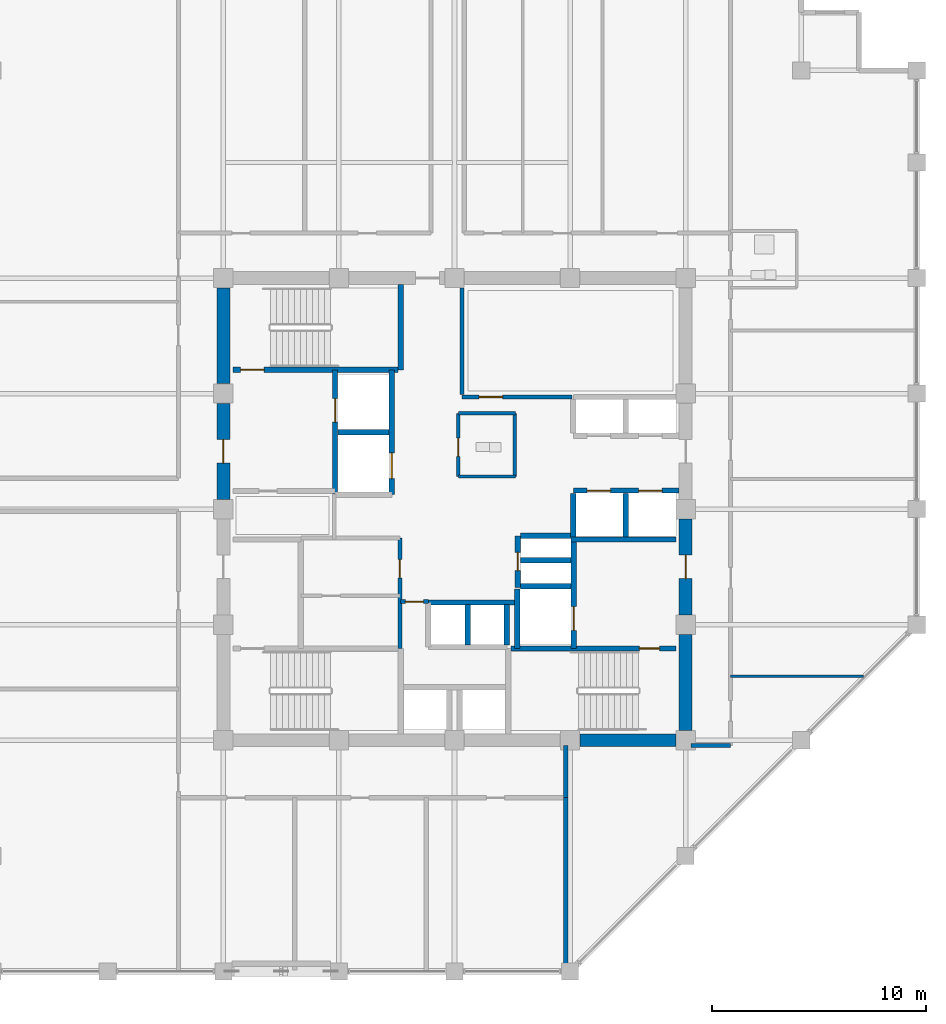
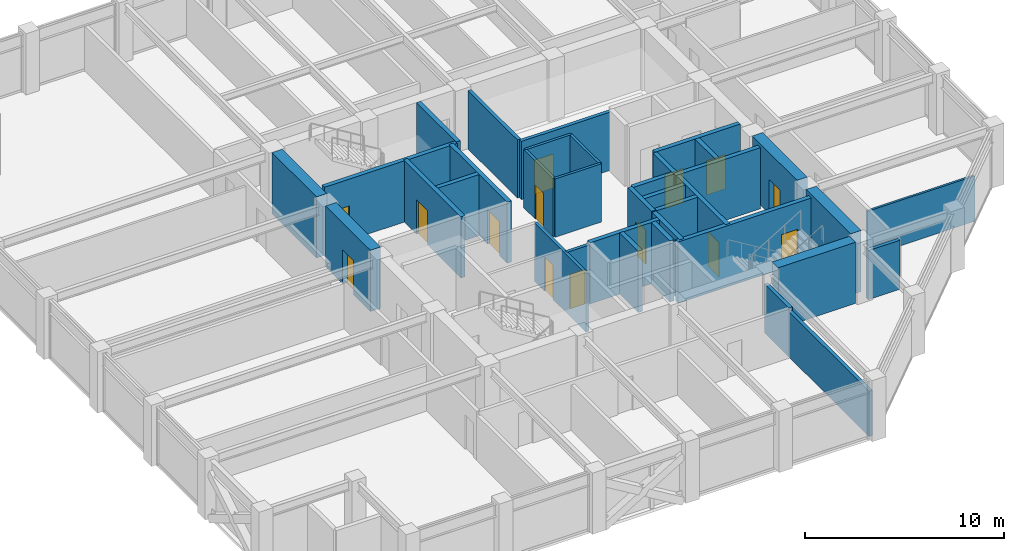
# One storey, part 28 of 32: 36 walls, 14 doors, 14 openings.
"""IFC4 building model written with IfcOpenShell, lengths in metres."""

from ifc_helpers import new_model, si_unit, direction, frame, frame_2d, origin, place, context, subcontext, project, spatial, rectangle, extrude, material, layer, layer_set, type_object, element, fill, save


model = new_model("IFC4")

# Units and contexts
model_context = context("Model", 3, precision=1e-05, world=origin(), true_north=direction((0.0, 1.0)))
body_context = subcontext(model_context, "Body", "Model", "MODEL_VIEW")
ifc_project = project(units=[si_unit("LENGTHUNIT", "METRE"), si_unit("AREAUNIT", "SQUARE_METRE"), si_unit("VOLUMEUNIT", "CUBIC_METRE"), si_unit("PLANEANGLEUNIT", "RADIAN"), si_unit("MASSUNIT", "GRAM", prefix="KILO")], contexts=[model_context])

# Site, building, storey
site_placement = place(None, origin())
site = spatial("IfcSite", under=ifc_project, at=site_placement, CompositionType="ELEMENT")
building_placement = place(site_placement, origin())
building = spatial("IfcBuilding", under=site, at=building_placement, Name="Surkhivell Harbour Commons", CompositionType="ELEMENT")
storey_placement = place(building_placement, frame((0.0, 0.0, 223.5)))
storey = spatial("IfcBuildingStorey", under=building, at=storey_placement, Name="L58", CompositionType="ELEMENT", Elevation=223.5)

# Wall
ifc_material_1 = material(Name="Concrete C60/75", Category="concrete")
ifc_layer_1 = layer(ifc_material_1, 0.60009765625)
ifc_layer_set_1 = layer_set([ifc_layer_1], Name="Concrete C60/75")
wall_type_1 = type_object("IfcWallType", Name="WAL-CORE-600", PredefinedType="SHEAR", material=ifc_layer_set_1)
wall_1_placement = place(storey_placement, frame((10.800048828125, -10.340087890625, 0.0), z_axis=(0.0, 0.0, 1.0), x_axis=(0.0, 1.0, 0.0)))
element("IfcWall", 1, at=wall_1_placement, inside=storey, type_object=wall_type_1, Name="L58 Core Shear Wall East 1", PredefinedType="SHEAR", context=body_context, shape_type="SweptSolid", body=[
    extrude(rectangle(XDim=4.47998046875, YDim=0.60009765625, at=frame_2d((2.239990234375, 0.0))), origin(), (0.0, 0.0, 1.0), 3.75),
])

# Wall, opening, door
wall_2_placement = place(storey_placement, frame((10.800048828125, -4.93994140625, 0.0), z_axis=(0.0, 0.0, 1.0), x_axis=(0.0, 1.0, 0.0)))
wall_2 = element("IfcWall", 2, at=wall_2_placement, inside=storey, type_object=wall_type_1, Name="L58 Core Shear Wall East 2", PredefinedType="SHEAR", context=body_context, shape_type="SweptSolid", body=[
    extrude(rectangle(XDim=4.47998046875, YDim=0.60009765625, at=frame_2d((2.239990234375, 0.0))), origin(), (0.0, 0.0, 1.0), 3.75),
])
opening_1_placement = place(wall_2_placement, frame((1.68994140625, 0.0, 0.0)))
opening_1 = element("IfcOpeningElement", 3, at=opening_1_placement, cuts=wall_2, Name="Opening ID-1", PredefinedType="OPENING", context=body_context, shape_type="SweptSolid", body=[
    extrude(rectangle(XDim=1.10009765625, YDim=2.10009765625, at=frame_2d((0.550048828125, 1.050048828125))), frame((0.0, 0.31005859375, 0.0), z_axis=(0.0, -1.0, 0.0), x_axis=(1.0, 0.0, 0.0)), (0.0, 0.0, 1.0), 0.6201171875),
])
ifc_material_2 = material(Name="Hardwood-veneered fire-rated door leaf", Category="wood")
door_type_1 = type_object("IfcDoorType", Name="DOR-FD120-1100", OperationType="NOTDEFINED", PredefinedType="DOOR", material=ifc_material_2)
door_1_placement = place(opening_1_placement, origin())
door_1 = element("IfcDoor", 4, at=door_1_placement, inside=storey, type_object=door_type_1, Name="L58 Firefighting Lobby 2 Corridor Door", OperationType="SINGLE_SWING_RIGHT", OverallHeight=2.10009765625, OverallWidth=1.10009765625, PredefinedType="DOOR", context=body_context, shape_type="SweptSolid", body=[
    extrude(rectangle(XDim=1.10009765625, YDim=2.10009765625, at=frame_2d((0.550048828125, 1.050048828125))), frame((0.0, 0.02490234375, 0.0), z_axis=(0.0, -1.0, 0.0), x_axis=(1.0, 0.0, 0.0)), (0.0, 0.0, 1.0), 0.050048828125),
])
fill(opening_1, door_1)

wall_3_placement = place(storey_placement, frame((-10.800048828125, 0.4599609375, 0.0), z_axis=(0.0, 0.0, 1.0), x_axis=(0.0, 1.0, 0.0)))
wall_3 = element("IfcWall", 5, at=wall_3_placement, inside=storey, type_object=wall_type_1, Name="L58 Core Shear Wall West 3", PredefinedType="SHEAR", context=body_context, shape_type="SweptSolid", body=[
    extrude(rectangle(XDim=4.47998046875, YDim=0.60009765625, at=frame_2d((2.239990234375, 0.0))), origin(), (0.0, 0.0, 1.0), 3.75),
])
opening_2_placement = place(wall_3_placement, frame((1.68994140625, 0.0, 0.0)))
opening_2 = element("IfcOpeningElement", 6, at=opening_2_placement, cuts=wall_3, Name="Opening ID-1", PredefinedType="OPENING", context=body_context, shape_type="SweptSolid", body=[
    extrude(rectangle(XDim=1.10009765625, YDim=2.10009765625, at=frame_2d((0.550048828125, 1.050048828125))), frame((0.0, 0.31005859375, 0.0), z_axis=(0.0, -1.0, 0.0), x_axis=(1.0, 0.0, 0.0)), (0.0, 0.0, 1.0), 0.6201171875),
])
door_2_placement = place(opening_2_placement, origin())
door_2 = element("IfcDoor", 7, at=door_2_placement, inside=storey, type_object=door_type_1, Name="L58 Firefighting Lobby 1 Corridor Door", OperationType="SINGLE_SWING_LEFT", OverallHeight=2.10009765625, OverallWidth=1.10009765625, PredefinedType="DOOR", context=body_context, shape_type="SweptSolid", body=[
    extrude(rectangle(XDim=1.10009765625, YDim=2.10009765625, at=frame_2d((0.550048828125, 1.050048828125))), frame((0.0, 0.02490234375, 0.0), z_axis=(0.0, -1.0, 0.0), x_axis=(1.0, 0.0, 0.0)), (0.0, 0.0, 1.0), 0.050048828125),
])
fill(opening_2, door_2)

# Walls
for number, where, z_axis, x_axis, name in (
    (8, (5.860107421875, -10.800048828125, 0.0), (0.0, 0.0, 1.0), (1.0, 0.0, 0.0), "L58 Core Shear Wall South 4"),
    (9, (-10.800048828125, 5.860107421875, 0.0), (0.0, 0.0, 1.0), (0.0, 1.0, 0.0), "L58 Core Shear Wall West 4"),
):
    element("IfcWall", number, at=place(storey_placement, frame(where, z_axis=z_axis, x_axis=x_axis)), inside=storey, type_object=wall_type_1, Name=name, PredefinedType="SHEAR", context=body_context, shape_type="SweptSolid", body=[
        extrude(rectangle(XDim=4.47998046875, YDim=0.60009765625, at=frame_2d((2.239990234375, 0.0))), origin(), (0.0, 0.0, 1.0), 3.75),
    ])
ifc_material_3 = material(Name="Moisture-resistant acoustic stud partition", Category="other")
ifc_layer_2 = layer(ifc_material_3, 0.125)
ifc_layer_set_2 = layer_set([ifc_layer_2], Name="Moisture-resistant acoustic stud partition")
wall_type_2 = type_object("IfcWallType", Name="WAL-INT-125", PredefinedType="PARTITIONING", material=ifc_layer_set_2)
wall_4_placement = place(storey_placement, frame((12.89990234375, -7.800048828125, 0.0), z_axis=(0.0, 0.0, 1.0), x_axis=(1.0, 0.0, 0.0)))
element("IfcWall", 10, at=wall_4_placement, inside=storey, type_object=wall_type_2, Name="L58 East Partition PBOT", PredefinedType="PARTITIONING", context=body_context, shape_type="SweptSolid", body=[
    extrude(rectangle(XDim=6.21533203125, YDim=0.125, at=frame_2d((3.107666015625, 0.0))), origin(), (0.0, 0.0, 1.0), 2.780029296875),
])
ifc_material_4 = material(Name="Twin-stud acoustic fireboard partition", Category="other")
ifc_layer_3 = layer(ifc_material_4, 0.14990234375)
ifc_layer_set_3 = layer_set([ifc_layer_3], Name="Twin-stud acoustic fireboard partition")
wall_type_3 = type_object("IfcWallType", Name="WAL-INT-150", PredefinedType="PARTITIONING", material=ifc_layer_set_3)
wall_5_placement = place(storey_placement, frame((2.820068359375, 1.52001953125, 0.0), z_axis=(0.0, 0.0, 1.0), x_axis=(0.0, 1.0, 0.0)))
element("IfcWall", 11, at=wall_5_placement, inside=storey, type_object=wall_type_3, Name="L58 Core Accessible WC East Wall", PredefinedType="PARTITIONING", context=body_context, shape_type="SweptSolid", body=[
    extrude(rectangle(XDim=2.9599609375, YDim=0.14990234375, at=frame_2d((1.47998046875, 0.0))), origin(), (0.0, 0.0, 1.0), 3.570068359375),
])
for number, where, z_axis, x_axis, name in (
    (12, (0.179931640625, 4.47998046875, 0.0), (0.0, 0.0, 1.0), (1.0, 0.0, 0.0), "L58 Core Accessible WC North Wall"),
    (13, (0.179931640625, 1.52001953125, 0.0), (0.0, 0.0, 1.0), (1.0, 0.0, 0.0), "L58 Core Accessible WC South Wall"),
):
    element("IfcWall", number, at=place(storey_placement, frame(where, z_axis=z_axis, x_axis=x_axis)), inside=storey, type_object=wall_type_3, Name=name, PredefinedType="PARTITIONING", context=body_context, shape_type="SweptSolid", body=[
        extrude(rectangle(XDim=2.670166015625, YDim=0.14990234375, at=frame_2d((1.3349609375, 0.0))), origin(), (0.0, 0.0, 1.0), 3.570068359375),
    ])

# Wall, opening, door
wall_6_placement = place(storey_placement, frame((0.179931640625, 1.52001953125, 0.0), z_axis=(0.0, 0.0, 1.0), x_axis=(0.0, 1.0, 0.0)))
wall_6 = element("IfcWall", 14, at=wall_6_placement, inside=storey, type_object=wall_type_3, Name="L58 Core Accessible WC West Wall", PredefinedType="PARTITIONING", context=body_context, shape_type="SweptSolid", body=[
    extrude(rectangle(XDim=2.9599609375, YDim=0.14990234375, at=frame_2d((1.47998046875, 0.0))), origin(), (0.0, 0.0, 1.0), 3.570068359375),
])
opening_3_placement = place(wall_6_placement, frame((0.949951171875, 0.0, 0.0)))
opening_3 = element("IfcOpeningElement", 15, at=opening_3_placement, cuts=wall_6, Name="Opening ID-6", PredefinedType="OPENING", context=body_context, shape_type="SweptSolid", body=[
    extrude(rectangle(XDim=0.85009765625, YDim=2.10009765625, at=frame_2d((0.425048828125, 1.050048828125))), frame((0.0, 0.0849609375, 0.0), z_axis=(0.0, -1.0, 0.0), x_axis=(1.0, 0.0, 0.0)), (0.0, 0.0, 1.0), 0.169921875),
])
door_type_2 = type_object("IfcDoorType", Name="DOR-FD30-850", OperationType="NOTDEFINED", PredefinedType="DOOR", material=ifc_material_2)
door_3_placement = place(opening_3_placement, origin())
door_3 = element("IfcDoor", 16, at=door_3_placement, inside=storey, type_object=door_type_2, Name="L58 Floor Accessible WC Door", OperationType="SINGLE_SWING_RIGHT", OverallHeight=2.10009765625, OverallWidth=0.85009765625, PredefinedType="DOOR", context=body_context, shape_type="SweptSolid", body=[
    extrude(rectangle(XDim=0.85009765625, YDim=2.10009765625, at=frame_2d((0.425048828125, 1.050048828125))), frame((0.0, 0.02490234375, 0.0), z_axis=(0.0, -1.0, 0.0), x_axis=(1.0, 0.0, 0.0)), (0.0, 0.0, 1.0), 0.050048828125),
])
fill(opening_3, door_3)

ifc_material_5 = material(Name="High-density acoustic blockwork fire partition", Category="masonry")
ifc_layer_4 = layer(ifc_material_5, 0.175048828125)
ifc_layer_set_4 = layer_set([ifc_layer_4], Name="High-density acoustic blockwork fire partition")
wall_type_4 = type_object("IfcWallType", Name="WAL-INT-175", PredefinedType="PARTITIONING", material=ifc_layer_set_4)
wall_7_placement = place(storey_placement, frame((-2.550048828125, -6.510009765625, 0.0), z_axis=(0.0, 0.0, 1.0), x_axis=(0.0, 1.0, 0.0)))
wall_7 = element("IfcWall", 17, at=wall_7_placement, inside=storey, type_object=wall_type_4, Name="L58 Core Service Bay East Wall", PredefinedType="PARTITIONING", context=body_context, shape_type="SweptSolid", body=[
    extrude(rectangle(XDim=5.159912109375, YDim=0.175048828125, at=frame_2d((2.580078125, 0.0))), origin(), (0.0, 0.0, 1.0), 3.570068359375),
])
opening_4_placement = place(wall_7_placement, frame((3.300048828125, 0.0, 0.0)))
opening_4 = element("IfcOpeningElement", 18, at=opening_4_placement, cuts=wall_7, Name="Opening ID-6", PredefinedType="OPENING", context=body_context, shape_type="SweptSolid", body=[
    extrude(rectangle(XDim=0.85009765625, YDim=2.10009765625, at=frame_2d((0.425048828125, 1.050048828125))), frame((0.0, 0.097412109375, 0.0), z_axis=(0.0, -1.0, 0.0), x_axis=(1.0, 0.0, 0.0)), (0.0, 0.0, 1.0), 0.195068359375),
])
door_4_placement = place(opening_4_placement, origin())
door_4 = element("IfcDoor", 19, at=door_4_placement, inside=storey, type_object=door_type_2, Name="L58 Core Reading Alcove Door", OperationType="SINGLE_SWING_LEFT", OverallHeight=2.10009765625, OverallWidth=0.85009765625, PredefinedType="DOOR", context=body_context, shape_type="SweptSolid", body=[
    extrude(rectangle(XDim=0.85009765625, YDim=2.10009765625, at=frame_2d((0.425048828125, 1.050048828125))), frame((0.0, 0.02490234375, 0.0), z_axis=(0.0, -1.0, 0.0), x_axis=(1.0, 0.0, 0.0)), (0.0, 0.0, 1.0), 0.050048828125),
])
fill(opening_4, door_4)

wall_8_placement = place(storey_placement, frame((-2.52001953125, -4.320068359375, 0.0), z_axis=(0.0, 0.0, 1.0), x_axis=(1.0, 0.0, 0.0)))
wall_8 = element("IfcWall", 20, at=wall_8_placement, inside=storey, type_object=wall_type_4, Name="L58 High-Rise Lobby North Portal Wall", PredefinedType="PARTITIONING", context=body_context, shape_type="SweptSolid", body=[
    extrude(rectangle(XDim=1.300048828125, YDim=0.175048828125, at=frame_2d((0.64990234375, 0.0))), origin(), (0.0, 0.0, 1.0), 3.570068359375),
])
opening_5_placement = place(wall_8_placement, frame((0.219970703125, 0.0, 0.0)))
opening_5 = element("IfcOpeningElement", 21, at=opening_5_placement, cuts=wall_8, Name="Opening ID-6", PredefinedType="OPENING", context=body_context, shape_type="SweptSolid", body=[
    extrude(rectangle(XDim=0.85009765625, YDim=2.10009765625, at=frame_2d((0.425048828125, 1.050048828125))), frame((0.0, 0.097412109375, 0.0), z_axis=(0.0, -1.0, 0.0), x_axis=(1.0, 0.0, 0.0)), (0.0, 0.0, 1.0), 0.195068359375),
])
door_5_placement = place(opening_5_placement, origin())
door_5 = element("IfcDoor", 22, at=door_5_placement, inside=storey, type_object=door_type_2, Name="L58 High-Rise Lift Lobby North Door", OperationType="SINGLE_SWING_LEFT", OverallHeight=2.10009765625, OverallWidth=0.85009765625, PredefinedType="DOOR", context=body_context, shape_type="SweptSolid", body=[
    extrude(rectangle(XDim=0.85009765625, YDim=2.10009765625, at=frame_2d((0.425048828125, 1.050048828125))), frame((0.0, 0.02490234375, 0.0), z_axis=(0.0, -1.0, 0.0), x_axis=(1.0, 0.0, 0.0)), (0.0, 0.0, 1.0), 0.050048828125),
])
fill(opening_5, door_5)

ifc_material_6 = material(Name="Autoclaved aerated concrete blockwork and fire plaster", Category="masonry")
ifc_layer_5 = layer(ifc_material_6, 0.199951171875)
ifc_layer_set_5 = layer_set([ifc_layer_5], Name="Autoclaved aerated concrete blockwork and fire plaster")
wall_type_5 = type_object("IfcWallType", Name="WAL-INT-200", PredefinedType="PARTITIONING", material=ifc_layer_set_5)
wall_9_placement = place(storey_placement, frame((0.35009765625, 5.239990234375, 0.0), z_axis=(0.0, 0.0, 1.0), x_axis=(1.0, 0.0, 0.0)))
wall_9 = element("IfcWall", 23, at=wall_9_placement, inside=storey, type_object=wall_type_5, Name="L58 Reclaimed Core North Bay South Wall", PredefinedType="PARTITIONING", context=body_context, shape_type="SweptSolid", body=[
    extrude(rectangle(XDim=5.14990234375, YDim=0.199951171875, at=frame_2d((2.574951171875, 0.0))), origin(), (0.0, 0.0, 1.0), 3.570068359375),
])
opening_6_placement = place(wall_9_placement, frame((0.800048828125, 0.0, 0.0)))
opening_6 = element("IfcOpeningElement", 24, at=opening_6_placement, cuts=wall_9, Name="Opening ID-2", PredefinedType="OPENING", context=body_context, shape_type="SweptSolid", body=[
    extrude(rectangle(XDim=1.10009765625, YDim=2.10009765625, at=frame_2d((0.550048828125, 1.050048828125))), frame((0.0, 0.10986328125, 0.0), z_axis=(0.0, -1.0, 0.0), x_axis=(1.0, 0.0, 0.0)), (0.0, 0.0, 1.0), 0.219970703125),
])
door_type_3 = type_object("IfcDoorType", Name="DOR-FD60-1100", OperationType="NOTDEFINED", PredefinedType="DOOR", material=ifc_material_2)
door_6_placement = place(opening_6_placement, origin())
door_6 = element("IfcDoor", 25, at=door_6_placement, inside=storey, type_object=door_type_3, Name="L58 Reading Library Door", OperationType="SINGLE_SWING_LEFT", OverallHeight=2.10009765625, OverallWidth=1.10009765625, PredefinedType="DOOR", context=body_context, shape_type="SweptSolid", body=[
    extrude(rectangle(XDim=1.10009765625, YDim=2.10009765625, at=frame_2d((0.550048828125, 1.050048828125))), frame((0.0, 0.02490234375, 0.0), z_axis=(0.0, -1.0, 0.0), x_axis=(1.0, 0.0, 0.0)), (0.0, 0.0, 1.0), 0.050048828125),
])
fill(opening_6, door_6)

# Walls
wall_10_placement = place(storey_placement, frame((0.35009765625, 5.360107421875, 0.0), z_axis=(0.0, 0.0, 1.0), x_axis=(0.0, 1.0, 0.0)))
element("IfcWall", 26, at=wall_10_placement, inside=storey, type_object=wall_type_5, Name="L58 Reclaimed Core North Bay West Wall", PredefinedType="PARTITIONING", context=body_context, shape_type="SweptSolid", body=[
    extrude(rectangle(XDim=4.97998046875, YDim=0.199951171875, at=frame_2d((2.489990234375, 0.0))), origin(), (0.0, 0.0, 1.0), 3.570068359375),
])
wall_11_placement = place(storey_placement, frame((5.199951171875, -21.5400390625, 0.0), z_axis=(0.0, 0.0, 1.0), x_axis=(0.0, 1.0, 0.0)))
element("IfcWall", 27, at=wall_11_placement, inside=storey, type_object=wall_type_5, Name="L58 South-East Corner Wall", PredefinedType="PARTITIONING", context=body_context, shape_type="SweptSolid", body=[
    extrude(rectangle(XDim=8.06005859375, YDim=0.199951171875, at=frame_2d((4.030029296875, 0.0))), origin(), (0.0, 0.0, 1.0), 2.780029296875),
])
wall_12_placement = place(storey_placement, frame((11.0400390625, -11.0400390625, 0.0), z_axis=(0.0, 0.0, 1.0), x_axis=(1.0, 0.0, 0.0)))
element("IfcWall", 28, at=wall_12_placement, inside=storey, type_object=wall_type_5, Name="L58 Corridor East South Closure Wall", PredefinedType="PARTITIONING", context=body_context, shape_type="SweptSolid", body=[
    extrude(rectangle(XDim=1.85986328125, YDim=0.199951171875, at=frame_2d((0.929931640625, 0.0))), origin(), (0.0, 0.0, 1.0), 3.006103515625),
])
wall_13_placement = place(storey_placement, frame((5.199951171875, -13.47998046875, 0.0), z_axis=(0.0, 0.0, 1.0), x_axis=(0.0, 1.0, 0.0)))
element("IfcWall", 29, at=wall_13_placement, inside=storey, type_object=wall_type_5, Name="L58 Corridor South End Wall", PredefinedType="PARTITIONING", context=body_context, shape_type="SweptSolid", body=[
    extrude(rectangle(XDim=2.43994140625, YDim=0.199951171875, at=frame_2d((1.219970703125, 0.0))), origin(), (0.0, 0.0, 1.0), 3.006103515625),
])

# Wall, opening, door
ifc_material_7 = material(Name="Concrete C50/60", Category="concrete")
ifc_layer_6 = layer(ifc_material_7, 0.25)
ifc_layer_set_6 = layer_set([ifc_layer_6], Name="Concrete C50/60")
wall_type_6 = type_object("IfcWallType", Name="WAL-SHAFT-250", PredefinedType="SHEAR", material=ifc_layer_set_6)
wall_14_placement = place(storey_placement, frame((-5.580078125, 0.719970703125, 0.0), z_axis=(0.0, 0.0, 1.0), x_axis=(0.0, 1.0, 0.0)))
wall_14 = element("IfcWall", 30, at=wall_14_placement, inside=storey, type_object=wall_type_6, Name="L58 Firefighting Lobby 1 East Shaft Wall", PredefinedType="SHEAR", context=body_context, shape_type="SweptSolid", body=[
    extrude(rectangle(XDim=5.7900390625, YDim=0.25, at=frame_2d((2.89501953125, 0.0))), origin(), (0.0, 0.0, 1.0), 3.75),
])
opening_7_placement = place(wall_14_placement, frame((3.35009765625, 0.0, 0.0)))
opening_7 = element("IfcOpeningElement", 31, at=opening_7_placement, cuts=wall_14, Name="Opening LD-1", PredefinedType="OPENING", context=body_context, shape_type="SweptSolid", body=[
    extrude(rectangle(XDim=1.10009765625, YDim=2.10009765625, at=frame_2d((0.550048828125, 1.050048828125))), frame((0.0, 0.135009765625, 0.0), z_axis=(0.0, -1.0, 0.0), x_axis=(1.0, 0.0, 0.0)), (0.0, 0.0, 1.0), 0.27001953125),
])
ifc_material_8 = material(Name="Brushed stainless steel S355", Category="steel")
door_type_4 = type_object("IfcDoorType", Name="DOR-LD-1100", OperationType="SLIDING_TO_LEFT", PredefinedType="DOOR", material=ifc_material_8)
door_7_placement = place(opening_7_placement, origin())
door_7 = element("IfcDoor", 32, at=door_7_placement, inside=storey, type_object=door_type_4, Name="L58 Lift Landing Door LD-FFL1", OperationType="SLIDING_TO_LEFT", OverallHeight=2.10009765625, OverallWidth=1.10009765625, PredefinedType="DOOR", context=body_context, shape_type="SweptSolid", body=[
    extrude(rectangle(XDim=1.10009765625, YDim=2.10009765625, at=frame_2d((0.550048828125, 1.050048828125))), frame((0.0, 0.02490234375, 0.0), z_axis=(0.0, -1.0, 0.0), x_axis=(1.0, 0.0, 0.0)), (0.0, 0.0, 1.0), 0.050048828125),
])
fill(opening_7, door_7)

# Walls
wall_15_placement = place(storey_placement, frame((2.929931640625, -6.510009765625, 0.0), z_axis=(0.0, 0.0, 1.0), x_axis=(0.0, 1.0, 0.0)))
element("IfcWall", 33, at=wall_15_placement, inside=storey, type_object=wall_type_6, Name="L58 FFL2 West Shaft Wall", PredefinedType="SHEAR", context=body_context, shape_type="SweptSolid", body=[
    extrude(rectangle(XDim=2.7900390625, YDim=0.25, at=frame_2d((1.39501953125, 0.0))), origin(), (0.0, 0.0, 1.0), 3.75),
])
wall_16_placement = place(storey_placement, frame((5.43994140625, -1.419921875, 0.0), z_axis=(0.0, 0.0, 1.0), x_axis=(1.0, 0.0, 0.0)))
element("IfcWall", 34, at=wall_16_placement, inside=storey, type_object=wall_type_6, Name="L58 Firefighting Lobby 2 North Wall", PredefinedType="SHEAR", context=body_context, shape_type="SweptSolid", body=[
    extrude(rectangle(XDim=4.900146484375, YDim=0.25, at=frame_2d((2.4501953125, 0.0))), origin(), (0.0, 0.0, 1.0), 3.75),
])
wall_17_placement = place(storey_placement, frame((3.080078125, -3.60009765625, 0.0), z_axis=(0.0, 0.0, 1.0), x_axis=(1.0, 0.0, 0.0)))
element("IfcWall", 35, at=wall_17_placement, inside=storey, type_object=wall_type_6, Name="L58 FFL2 North Shaft Wall", PredefinedType="SHEAR", context=body_context, shape_type="SweptSolid", body=[
    extrude(rectangle(XDim=2.369873046875, YDim=0.25, at=frame_2d((1.18505859375, 0.0))), origin(), (0.0, 0.0, 1.0), 3.75),
])

# Wall, opening, door
wall_18_placement = place(storey_placement, frame((5.580078125, -6.510009765625, 0.0), z_axis=(0.0, 0.0, 1.0), x_axis=(0.0, 1.0, 0.0)))
wall_18 = element("IfcWall", 36, at=wall_18_placement, inside=storey, type_object=wall_type_6, Name="L58 Firefighting Lobby 2 West Shaft Wall", PredefinedType="SHEAR", context=body_context, shape_type="SweptSolid", body=[
    extrude(rectangle(XDim=5.090087890625, YDim=0.25, at=frame_2d((2.544921875, 0.0))), origin(), (0.0, 0.0, 1.0), 3.75),
])
opening_8_placement = place(wall_18_placement, frame((0.85009765625, 0.0, 0.0)))
opening_8 = element("IfcOpeningElement", 37, at=opening_8_placement, cuts=wall_18, Name="Opening LD-1", PredefinedType="OPENING", context=body_context, shape_type="SweptSolid", body=[
    extrude(rectangle(XDim=1.10009765625, YDim=2.10009765625, at=frame_2d((0.550048828125, 1.050048828125))), frame((0.0, 0.135009765625, 0.0), z_axis=(0.0, -1.0, 0.0), x_axis=(1.0, 0.0, 0.0)), (0.0, 0.0, 1.0), 0.27001953125),
])
door_8_placement = place(opening_8_placement, origin())
door_8 = element("IfcDoor", 38, at=door_8_placement, inside=storey, type_object=door_type_4, Name="L58 Lift Landing Door LD-FFL2", OperationType="SLIDING_TO_RIGHT", OverallHeight=2.10009765625, OverallWidth=1.10009765625, PredefinedType="DOOR", context=body_context, shape_type="SweptSolid", body=[
    extrude(rectangle(XDim=1.10009765625, YDim=2.10009765625, at=frame_2d((0.550048828125, 1.050048828125))), frame((0.0, 0.02490234375, 0.0), z_axis=(0.0, -1.0, 0.0), x_axis=(1.0, 0.0, 0.0)), (0.0, 0.0, 1.0), 0.050048828125),
])
fill(opening_8, door_8)

# Walls
for number, where, z_axis, x_axis, name in (
    (39, (0.6201171875, -6.340087890625, 0.0), (0.0, 0.0, 1.0), (0.0, 1.0, 0.0), "L58 High-Rise Side Wall N"),
    (40, (2.449951171875, -6.340087890625, 0.0), (0.0, 0.0, 1.0), (0.0, 1.0, 0.0), "L58 High-Rise Side Wall N"),
):
    element("IfcWall", number, at=place(storey_placement, frame(where, z_axis=z_axis, x_axis=x_axis)), inside=storey, type_object=wall_type_6, Name=name, PredefinedType="SHEAR", context=body_context, shape_type="SweptSolid", body=[
        extrude(rectangle(XDim=1.880126953125, YDim=0.25, at=frame_2d((0.93994140625, 0.0))), origin(), (0.0, 0.0, 1.0), 3.75),
    ])
wall_19_placement = place(storey_placement, frame((-1.219970703125, -4.360107421875, 0.0), z_axis=(0.0, 0.0, 1.0), x_axis=(1.0, 0.0, 0.0)))
element("IfcWall", 41, at=wall_19_placement, inside=storey, type_object=wall_type_6, Name="L58 High-Rise North Back Shaft Wall", PredefinedType="SHEAR", context=body_context, shape_type="SweptSolid", body=[
    extrude(rectangle(XDim=4.030029296875, YDim=0.25, at=frame_2d((2.01513671875, 0.0))), origin(), (0.0, 0.0, 1.0), 3.75),
])
for number, where, z_axis, x_axis, name in (
    (42, (5.550048828125, -1.300048828125, 0.0), (0.0, 0.0, 1.0), (0.0, 1.0, 0.0), "L58 Mid-Rise Shaft Side Wall S"),
    (43, (8.0, -1.300048828125, 0.0), (0.0, 0.0, 1.0), (0.0, 1.0, 0.0), "L58 Mid-Rise Shaft Side Wall S"),
):
    element("IfcWall", number, at=place(storey_placement, frame(where, z_axis=z_axis, x_axis=x_axis)), inside=storey, type_object=wall_type_6, Name=name, PredefinedType="SHEAR", context=body_context, shape_type="SweptSolid", body=[
        extrude(rectangle(XDim=2.0400390625, YDim=0.25, at=frame_2d((1.02001953125, 0.0))), origin(), (0.0, 0.0, 1.0), 3.75),
    ])

# Wall, openings, doors
wall_20_placement = place(storey_placement, frame((5.550048828125, 0.8701171875, 0.0), z_axis=(0.0, 0.0, 1.0), x_axis=(1.0, 0.0, 0.0)))
wall_20 = element("IfcWall", 44, at=wall_20_placement, inside=storey, type_object=wall_type_6, Name="L58 Mid-Rise South Front Shaft Wall", PredefinedType="SHEAR", context=body_context, shape_type="SweptSolid", body=[
    extrude(rectangle(XDim=4.949951171875, YDim=0.25, at=frame_2d((2.47509765625, 0.0))), origin(), (0.0, 0.0, 1.0), 3.75),
])
opening_9_placement = place(wall_20_placement, frame((0.64990234375, 0.0, 0.0)))
opening_9 = element("IfcOpeningElement", 45, at=opening_9_placement, cuts=wall_20, Name="Opening LD-1", PredefinedType="OPENING", context=body_context, shape_type="SweptSolid", body=[
    extrude(rectangle(XDim=1.10009765625, YDim=2.10009765625, at=frame_2d((0.550048828125, 1.050048828125))), frame((0.0, 0.135009765625, 0.0), z_axis=(0.0, -1.0, 0.0), x_axis=(1.0, 0.0, 0.0)), (0.0, 0.0, 1.0), 0.27001953125),
])
opening_10_placement = place(wall_20_placement, frame((3.050048828125, 0.0, 0.0)))
opening_10 = element("IfcOpeningElement", 46, at=opening_10_placement, cuts=wall_20, Name="Opening LD-1", PredefinedType="OPENING", context=body_context, shape_type="SweptSolid", body=[
    extrude(rectangle(XDim=1.10009765625, YDim=2.10009765625, at=frame_2d((0.550048828125, 1.050048828125))), frame((0.0, 0.135009765625, 0.0), z_axis=(0.0, -1.0, 0.0), x_axis=(1.0, 0.0, 0.0)), (0.0, 0.0, 1.0), 0.27001953125),
])
door_9_placement = place(opening_9_placement, origin())
door_9 = element("IfcDoor", 47, at=door_9_placement, inside=storey, type_object=door_type_4, Name="L58 Lift Landing Door LD-PM3", OperationType="SLIDING_TO_RIGHT", OverallHeight=2.10009765625, OverallWidth=1.10009765625, PredefinedType="DOOR", context=body_context, shape_type="SweptSolid", body=[
    extrude(rectangle(XDim=1.10009765625, YDim=2.10009765625, at=frame_2d((0.550048828125, 1.050048828125))), frame((0.0, 0.02490234375, 0.0), z_axis=(0.0, -1.0, 0.0), x_axis=(1.0, 0.0, 0.0)), (0.0, 0.0, 1.0), 0.050048828125),
])
fill(opening_9, door_9)
door_10_placement = place(opening_10_placement, origin())
door_10 = element("IfcDoor", 48, at=door_10_placement, inside=storey, type_object=door_type_4, Name="L58 Lift Landing Door LD-PM4", OperationType="SLIDING_TO_RIGHT", OverallHeight=2.10009765625, OverallWidth=1.10009765625, PredefinedType="DOOR", context=body_context, shape_type="SweptSolid", body=[
    extrude(rectangle(XDim=1.10009765625, YDim=2.10009765625, at=frame_2d((0.550048828125, 1.050048828125))), frame((0.0, 0.02490234375, 0.0), z_axis=(0.0, -1.0, 0.0), x_axis=(1.0, 0.0, 0.0)), (0.0, 0.0, 1.0), 0.050048828125),
])
fill(opening_10, door_10)

# Walls
for number, where, z_axis, x_axis, name in (
    (49, (3.080078125, -2.3798828125, 0.0), (0.0, 0.0, 1.0), (1.0, 0.0, 0.0), "L58 Riser Divider Wall"),
    (50, (3.080078125, -1.25, 0.0), (0.0, 0.0, 1.0), (1.0, 0.0, 0.0), "L58 Riser North Wall"),
):
    element("IfcWall", number, at=place(storey_placement, frame(where, z_axis=z_axis, x_axis=x_axis)), inside=storey, type_object=wall_type_6, Name=name, PredefinedType="SHEAR", context=body_context, shape_type="SweptSolid", body=[
        extrude(rectangle(XDim=2.369873046875, YDim=0.25, at=frame_2d((1.18505859375, 0.0))), origin(), (0.0, 0.0, 1.0), 3.75),
    ])

# Wall, opening, door
wall_21_placement = place(storey_placement, frame((2.949951171875, -3.64990234375, 0.0), z_axis=(0.0, 0.0, 1.0), x_axis=(0.0, 1.0, 0.0)))
wall_21 = element("IfcWall", 51, at=wall_21_placement, inside=storey, type_object=wall_type_6, Name="L58 Riser Shaft West Wall", PredefinedType="SHEAR", context=body_context, shape_type="SweptSolid", body=[
    extrude(rectangle(XDim=2.39990234375, YDim=0.25, at=frame_2d((1.199951171875, 0.0))), origin(), (0.0, 0.0, 1.0), 3.75),
])
opening_11_placement = place(wall_21_placement, frame((0.77490234375, 0.0, 0.0)))
opening_11 = element("IfcOpeningElement", 52, at=opening_11_placement, cuts=wall_21, Name="Opening ID-6", PredefinedType="OPENING", context=body_context, shape_type="SweptSolid", body=[
    extrude(rectangle(XDim=0.85009765625, YDim=2.10009765625, at=frame_2d((0.425048828125, 1.050048828125))), frame((0.0, 0.135009765625, 0.0), z_axis=(0.0, -1.0, 0.0), x_axis=(1.0, 0.0, 0.0)), (0.0, 0.0, 1.0), 0.27001953125),
])
door_11_placement = place(opening_11_placement, origin())
door_11 = element("IfcDoor", 53, at=door_11_placement, inside=storey, type_object=door_type_2, Name="L58 Electrical Riser Access Door", OperationType="SINGLE_SWING_LEFT", OverallHeight=2.10009765625, OverallWidth=0.85009765625, PredefinedType="DOOR", context=body_context, shape_type="SweptSolid", body=[
    extrude(rectangle(XDim=0.85009765625, YDim=2.10009765625, at=frame_2d((0.425048828125, 1.050048828125))), frame((0.0, 0.02490234375, 0.0), z_axis=(0.0, -1.0, 0.0), x_axis=(1.0, 0.0, 0.0)), (0.0, 0.0, 1.0), 0.050048828125),
])
fill(opening_11, door_11)

# Wall
wall_22_placement = place(storey_placement, frame((-2.510009765625, 6.510009765625, 0.0), z_axis=(0.0, 0.0, 1.0), x_axis=(0.0, 1.0, 0.0)))
element("IfcWall", 54, at=wall_22_placement, inside=storey, type_object=wall_type_6, Name="L58 Stair ST1 East Shear Wall", PredefinedType="SHEAR", context=body_context, shape_type="SweptSolid", body=[
    extrude(rectangle(XDim=3.989990234375, YDim=0.25, at=frame_2d((1.9951171875, 0.0))), origin(), (0.0, 0.0, 1.0), 3.75),
])

# Wall, opening, door
wall_23_placement = place(storey_placement, frame((-10.340087890625, 6.510009765625, 0.0), z_axis=(0.0, 0.0, 1.0), x_axis=(1.0, 0.0, 0.0)))
wall_23 = element("IfcWall", 55, at=wall_23_placement, inside=storey, type_object=wall_type_6, Name="L58 Stair ST1 South Shear Wall", PredefinedType="SHEAR", context=body_context, shape_type="SweptSolid", body=[
    extrude(rectangle(XDim=7.7001953125, YDim=0.25, at=frame_2d((3.85009765625, 0.0))), origin(), (0.0, 0.0, 1.0), 3.75),
])
opening_12_placement = place(wall_23_placement, frame((0.35009765625, 0.0, 0.0)))
opening_12 = element("IfcOpeningElement", 56, at=opening_12_placement, cuts=wall_23, Name="Opening ID-2", PredefinedType="OPENING", context=body_context, shape_type="SweptSolid", body=[
    extrude(rectangle(XDim=1.10009765625, YDim=2.10009765625, at=frame_2d((0.550048828125, 1.050048828125))), frame((0.0, 0.135009765625, 0.0), z_axis=(0.0, -1.0, 0.0), x_axis=(1.0, 0.0, 0.0)), (0.0, 0.0, 1.0), 0.27001953125),
])
door_12_placement = place(opening_12_placement, origin())
door_12 = element("IfcDoor", 57, at=door_12_placement, inside=storey, type_object=door_type_3, Name="L58 Stair ST1 Exit Door", OperationType="SINGLE_SWING_LEFT", OverallHeight=2.10009765625, OverallWidth=1.10009765625, PredefinedType="DOOR", context=body_context, shape_type="SweptSolid", body=[
    extrude(rectangle(XDim=1.10009765625, YDim=2.10009765625, at=frame_2d((0.550048828125, 1.050048828125))), frame((0.0, 0.02490234375, 0.0), z_axis=(0.0, -1.0, 0.0), x_axis=(1.0, 0.0, 0.0)), (0.0, 0.0, 1.0), 0.050048828125),
])
fill(opening_12, door_12)

wall_24_placement = place(storey_placement, frame((2.639892578125, -6.510009765625, 0.0), z_axis=(0.0, 0.0, 1.0), x_axis=(1.0, 0.0, 0.0)))
wall_24 = element("IfcWall", 58, at=wall_24_placement, inside=storey, type_object=wall_type_6, Name="L58 Stair ST2 North Shear Wall", PredefinedType="SHEAR", context=body_context, shape_type="SweptSolid", body=[
    extrude(rectangle(XDim=7.7001953125, YDim=0.25, at=frame_2d((3.85009765625, 0.0))), origin(), (0.0, 0.0, 1.0), 3.75),
])
opening_13_placement = place(wall_24_placement, frame((6.0, 0.0, 0.0)))
opening_13 = element("IfcOpeningElement", 59, at=opening_13_placement, cuts=wall_24, Name="Opening ID-4", PredefinedType="OPENING", context=body_context, shape_type="SweptSolid", body=[
    extrude(rectangle(XDim=0.949951171875, YDim=2.10009765625, at=frame_2d((0.47509765625, 1.050048828125))), frame((0.0, 0.135009765625, 0.0), z_axis=(0.0, -1.0, 0.0), x_axis=(1.0, 0.0, 0.0)), (0.0, 0.0, 1.0), 0.27001953125),
])
door_type_5 = type_object("IfcDoorType", Name="DOR-FD60-950", OperationType="NOTDEFINED", PredefinedType="DOOR", material=ifc_material_2)
door_13_placement = place(opening_13_placement, origin())
door_13 = element("IfcDoor", 60, at=door_13_placement, inside=storey, type_object=door_type_5, Name="L58 Stair ST2 Exit Door", OperationType="SINGLE_SWING_RIGHT", OverallHeight=2.10009765625, OverallWidth=0.949951171875, PredefinedType="DOOR", context=body_context, shape_type="SweptSolid", body=[
    extrude(rectangle(XDim=0.949951171875, YDim=2.10009765625, at=frame_2d((0.47509765625, 1.050048828125))), frame((0.0, 0.02490234375, 0.0), z_axis=(0.0, -1.0, 0.0), x_axis=(1.0, 0.0, 0.0)), (0.0, 0.0, 1.0), 0.050048828125),
])
fill(opening_13, door_13)

wall_25_placement = place(storey_placement, frame((-2.929931640625, 0.679931640625, 0.0), z_axis=(0.0, 0.0, 1.0), x_axis=(0.0, 1.0, 0.0)))
wall_25 = element("IfcWall", 61, at=wall_25_placement, inside=storey, type_object=wall_type_6, Name="L58 Service and Fire Lift East Shaft Wall", PredefinedType="SHEAR", context=body_context, shape_type="SweptSolid", body=[
    extrude(rectangle(XDim=5.830078125, YDim=0.25, at=frame_2d((2.9150390625, 0.0))), origin(), (0.0, 0.0, 1.0), 3.75),
])
opening_14_placement = place(wall_25_placement, frame((0.75, 0.0, 0.0)))
opening_14 = element("IfcOpeningElement", 62, at=opening_14_placement, cuts=wall_25, Name="Opening LD-2", PredefinedType="OPENING", context=body_context, shape_type="SweptSolid", body=[
    extrude(rectangle(XDim=1.199951171875, YDim=2.10009765625, at=frame_2d((0.60009765625, 1.050048828125))), frame((0.0, 0.135009765625, 0.0), z_axis=(0.0, -1.0, 0.0), x_axis=(1.0, 0.0, 0.0)), (0.0, 0.0, 1.0), 0.27001953125),
])
door_type_6 = type_object("IfcDoorType", Name="DOR-LD-1200", OperationType="SLIDING_TO_LEFT", PredefinedType="DOOR", material=ifc_material_8)
door_14_placement = place(opening_14_placement, origin())
door_14 = element("IfcDoor", 63, at=door_14_placement, inside=storey, type_object=door_type_6, Name="L58 Lift Landing Door LD-SVL1", OperationType="SLIDING_TO_LEFT", OverallHeight=2.10009765625, OverallWidth=1.199951171875, PredefinedType="DOOR", context=body_context, shape_type="SweptSolid", body=[
    extrude(rectangle(XDim=1.199951171875, YDim=2.10009765625, at=frame_2d((0.60009765625, 1.050048828125))), frame((0.0, 0.02490234375, 0.0), z_axis=(0.0, -1.0, 0.0), x_axis=(1.0, 0.0, 0.0)), (0.0, 0.0, 1.0), 0.050048828125),
])
fill(opening_14, door_14)

# Wall
wall_26_placement = place(storey_placement, frame((-5.449951171875, 3.60009765625, 0.0), z_axis=(0.0, 0.0, 1.0), x_axis=(1.0, 0.0, 0.0)))
element("IfcWall", 64, at=wall_26_placement, inside=storey, type_object=wall_type_6, Name="L58 FFL1/SVL1 Shaft Divider", PredefinedType="SHEAR", context=body_context, shape_type="SweptSolid", body=[
    extrude(rectangle(XDim=2.389892578125, YDim=0.25, at=frame_2d((1.19482421875, 0.0))), origin(), (0.0, 0.0, 1.0), 3.75),
])

save(model, "model.ifc")
